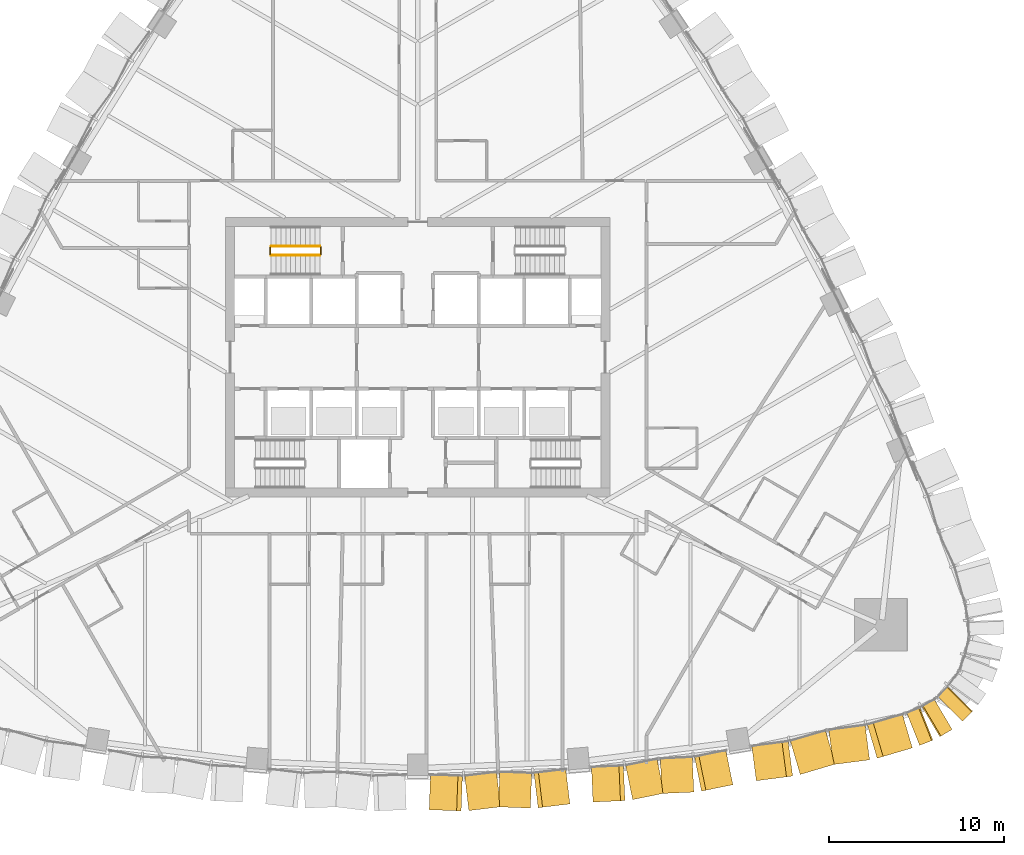
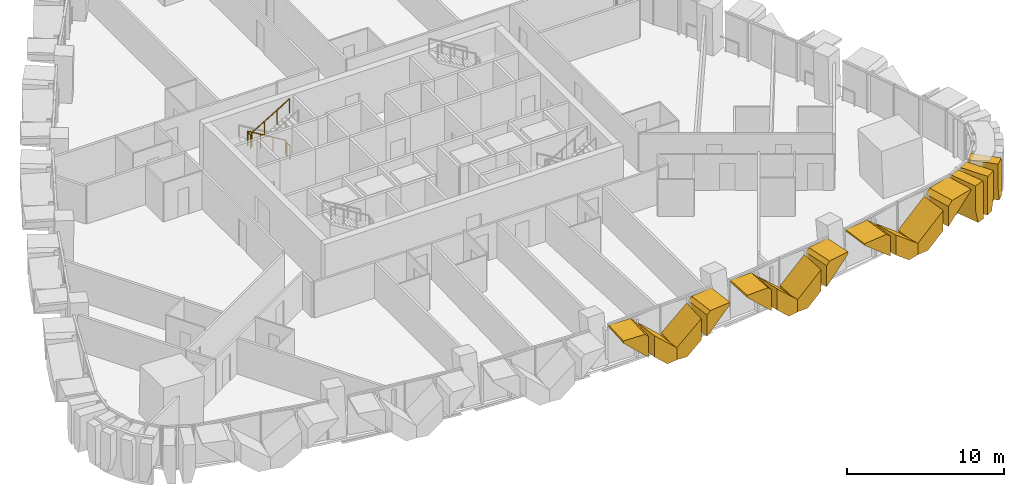
# One storey, part 19 of 23: 15 coverings, 4 railings.
"""IFC4 building model written with IfcOpenShell, lengths in metres."""

from ifc_helpers import new_model, si_unit, direction, frame, origin, origin_2d, place, context, subcontext, project, spatial, polyline, circle, outline, extrude, material, layer, layer_set, type_object, element, save


model = new_model("IFC4")

# Units and contexts
model_context = context("Model", 3, precision=1e-05, world=origin(), true_north=direction((0.0, 1.0)))
body_context = subcontext(model_context, "Body", "Model", "MODEL_VIEW")
ifc_project = project(units=[si_unit("LENGTHUNIT", "METRE"), si_unit("AREAUNIT", "SQUARE_METRE"), si_unit("VOLUMEUNIT", "CUBIC_METRE"), si_unit("PLANEANGLEUNIT", "RADIAN"), si_unit("MASSUNIT", "GRAM", prefix="KILO")], contexts=[model_context])

# Site, building, storey
site_placement = place(None, origin())
site = spatial("IfcSite", under=ifc_project, at=site_placement, CompositionType="ELEMENT")
building_placement = place(site_placement, origin())
building = spatial("IfcBuilding", under=site, at=building_placement, Name="Sierra Prisma Convention Tower", CompositionType="ELEMENT")
storey_placement = place(building_placement, frame((0.0, 0.0, 70.199951171875)))
storey = spatial("IfcBuildingStorey", under=building, at=storey_placement, Name="L13", CompositionType="ELEMENT", Elevation=70.199951171875)

# Coverings
ifc_material_1 = material(Name="Aluminium 6063-T6 bronze anodised", Category="aluminium")
ifc_layer = layer(ifc_material_1, 2.0)
ifc_layer_set = layer_set([ifc_layer], Name="Bronze crystal chevron frame")
covering_type = type_object("IfcCoveringType", Name="Bronze crystal chevron frame", PredefinedType="CLADDING", material=ifc_layer_set)
covering_1_placement = place(storey_placement, frame((0.654296875, -25.91796875, 2.97998046875), z_axis=(-0.037447028896, -0.999298612789, -5.0056809e-05), x_axis=(1.874479e-06, 5.00217e-05, -0.999999998747)))
element("IfcCovering", 1, at=covering_1_placement, inside=storey, type_object=covering_type, Name="CW-2 chevron frame S4.1.1", PredefinedType="CLADDING", context=body_context, shape_type="SweptSolid", body=[
    extrude(outline(polyline([(0.0, 0.0), (0.16235351542159668, 3.437969420923521e-23), (1.894042966985744, 1.8323394092863832), (0.24291992217934028, 1.8323394092863832), (-4.543999387105241e-09, 1.5753270616058597), (0.0, 0.0)])), origin(), (0.0, 0.0, -1.0), 2.0),
])
covering_2_placement = place(storey_placement, frame((2.928466796875, -25.968505859375, 2.6142578125), z_axis=(0.119395805273, -0.992846736226, 6.964865e-06), x_axis=(8.31576e-07, -6.915044e-06, -0.999999999976)))
element("IfcCovering", 2, at=covering_2_placement, inside=storey, type_object=covering_type, Name="CW-2 chevron frame S4.1.2", PredefinedType="CLADDING", context=body_context, shape_type="SweptSolid", body=[
    extrude(outline(polyline([(0.0, 0.0), (1.6513671874599467, 0.0), (2.614257812606209, 1.018513255023292), (2.6142578124833014, 1.832197185870817), (1.731933593754702, 1.832197185870817), (0.0, 0.0)])), origin(), (0.0, 0.0, -1.0), 2.0),
])
covering_3_placement = place(storey_placement, frame((5.436279296875, -25.785400390625, 0.0), z_axis=(-0.037564450564, -0.999294206808, -1.7136686e-05), x_axis=(0.726249653871, -0.027312216985, 0.686888260968)))
element("IfcCovering", 3, at=covering_3_placement, inside=storey, type_object=covering_type, Name="CW-2 chevron frame S4.2.1", PredefinedType="CLADDING", context=body_context, shape_type="SweptSolid", body=[
    extrude(outline(polyline([(0.0, 0.0), (1.4018155214761796, 1.1102230246251565e-16), (2.5361202571168895, 1.200152637731505), (0.014792187651770927, 1.200066033766845), (-0.5912659605749478, 0.5588254020752929), (0.0, 0.0)])), origin(), (0.0, 0.0, -1.0), 2.0),
])
covering_4_placement = place(storey_placement, frame((8.71630859375, -25.5869140625, 2.97998046875), z_axis=(0.119269075759, -0.992861966051, -6.2737553e-05), x_axis=(-0.992861968005, -0.119269075994, 4.531e-09)))
element("IfcCovering", 4, at=covering_4_placement, inside=storey, type_object=covering_type, Name="CW-2 chevron frame S4.2.2", PredefinedType="CLADDING", context=body_context, shape_type="SweptSolid", body=[
    extrude(outline(polyline([(0.0, 0.0), (1.5752224012592562, 1.6940658945086007e-21), (1.8321680522739572, 0.24291993065521567), (1.8321680447921818, 1.8940429742808051), (-7.356765640278175e-10, 0.16235351530548825), (0.0, 0.0)])), origin(), (0.0, 0.0, -1.0), 2.0),
])
covering_5_placement = place(storey_placement, frame((10.038818359375, -25.477294921875, 2.97998046875), z_axis=(0.044616682002, -0.999004180009, 3.344774e-06), x_axis=(1.49233e-07, -3.341443e-06, -0.999999999994)))
element("IfcCovering", 5, at=covering_5_placement, inside=storey, type_object=covering_type, Name="CW-2 chevron frame S5.1.1", PredefinedType="CLADDING", context=body_context, shape_type="SweptSolid", body=[
    extrude(outline(polyline([(0.0, 0.0), (0.1621093749990932, 0.0), (1.8940429687421256, 1.833124253604009), (0.24316406250136022, 1.833124253604009), (-2.0282831900266976e-11, 1.5757882219610095), (0.0, 0.0)])), origin(), (0.0, 0.0, -1.0), 2.0),
])
covering_6_placement = place(storey_placement, frame((12.310302734375, -25.3408203125, 2.614013671875), z_axis=(0.200333247522, -0.979727813561, 3.5674824e-05), x_axis=(7.146853e-06, -3.4951617e-05, -0.999999999364)))
element("IfcCovering", 6, at=covering_6_placement, inside=storey, type_object=covering_type, Name="CW-2 chevron frame S5.1.2", PredefinedType="CLADDING", context=body_context, shape_type="SweptSolid", body=[
    extrude(outline(polyline([(0.0, 0.0), (1.650878905199469, 4.19504647656268e-21), (2.6140136746610354, 1.0194201862457657), (2.6140136714373563, 1.8330515150400453), (1.731933593873665, 1.8330515150400453), (0.0, 0.0)])), origin(), (0.0, 0.0, -1.0), 2.0),
])
covering_7_placement = place(storey_placement, frame((13.98291015625, -24.98876953125, 0.0), z_axis=(0.044623259293, -0.999003885939, -2.4686801e-05), x_axis=(0.999003886243, 0.044623259307, -1.897e-09)))
element("IfcCovering", 7, at=covering_7_placement, inside=storey, type_object=covering_type, Name="CW-2 chevron frame S5.2.1", PredefinedType="CLADDING", context=body_context, shape_type="SweptSolid", body=[
    extrude(outline(polyline([(0.0, 0.0), (0.8138017106509453, 2.117582368135751e-22), (1.8333681491651403, 0.9631347693961597), (1.833368146033626, 2.614013675143106), (-1.67319746244595e-09, 0.8820800778562136), (0.0, 0.0)])), origin(), (0.0, 0.0, -1.0), 2.0),
])
covering_8_placement = place(storey_placement, frame((18.050537109375, -24.485107421875, 2.97998046875), z_axis=(0.200406083936, -0.979712914587, 8.0699737e-05), x_axis=(-0.979712917778, -0.200406084588, 7.492e-09)))
element("IfcCovering", 8, at=covering_8_placement, inside=storey, type_object=covering_type, Name="CW-2 chevron frame S5.2.2", PredefinedType="CLADDING", context=body_context, shape_type="SweptSolid", body=[
    extrude(outline(polyline([(0.0, 0.0), (1.5758861228997094, 6.776263578034403e-21), (1.833339620588796, 0.24316407702770332), (1.8333396082199374, 1.894042977902072), (-1.2145699675172432e-09, 0.16210937447213558), (0.0, 0.0)])), origin(), (0.0, 0.0, -1.0), 2.0),
])
covering_9_placement = place(storey_placement, frame((19.39306640625, -24.2587890625, 2.97998046875), z_axis=(0.12874603876, -0.991677594228, -8.1297801e-05), x_axis=(-1.046677e-05, 8.0621208e-05, -0.999999996695)))
element("IfcCovering", 9, at=covering_9_placement, inside=storey, type_object=covering_type, Name="CW-2 chevron frame S6.1.1", PredefinedType="CLADDING", context=body_context, shape_type="SweptSolid", body=[
    extrude(outline(polyline([(0.0, 0.0), (0.11035156213532493, 0.0), (1.856201167693339, 2.0990149076438556), (0.295410157226232, 2.0990149076438556), (-1.1045136782956408e-08, 1.7437426838725816), (0.0, 0.0)])), origin(), (0.0, 0.0, -1.0), 2.0),
])
covering_10_placement = place(storey_placement, frame((21.908447265625, -23.897216796875, 2.576416015625), z_axis=(0.282397402615, -0.959297506984, 9.47832e-06), x_axis=(2.676653e-06, -9.092529e-06, -0.999999999955)))
element("IfcCovering", 10, at=covering_10_placement, inside=storey, type_object=covering_type, Name="CW-2 chevron frame S6.1.2", PredefinedType="CLADDING", context=body_context, shape_type="SweptSolid", body=[
    extrude(outline(polyline([(0.0, 0.0), (1.5607910155548903, 0.0), (2.5764160158153255, 1.220824041435818), (2.576416015600511, 2.0991080887555347), (1.746093750012809, 2.0991080887555347), (0.0, 0.0)])), origin(), (0.0, 0.0, -1.0), 2.0),
])
covering_11_placement = place(storey_placement, frame((23.80078125, -23.330078125, 0.0), z_axis=(0.128751913171, -0.991676834823, 1.1404917e-05), x_axis=(0.991676834888, 0.128751913179, -3.54e-10)))
element("IfcCovering", 11, at=covering_11_placement, inside=storey, type_object=covering_type, Name="CW-2 chevron frame S6.2.1", PredefinedType="CLADDING", context=body_context, shape_type="SweptSolid", body=[
    extrude(outline(polyline([(0.0, 0.0), (0.8781551283803838, -2.117582368135751e-22), (2.099014907389583, 1.0156250008094627), (2.099014906836796, 2.576416016332955), (-2.9407618296045426e-10, 0.8303222655709991), (0.0, 0.0)])), origin(), (0.0, 0.0, -1.0), 2.0),
])
covering_12_placement = place(storey_placement, frame((28.329833984375, -22.375732421875, 2.97998046875), z_axis=(0.282392123243, -0.959299061132, 6.518942e-06), x_axis=(-0.959299061152, -0.282392123249, 4.1e-11)))
element("IfcCovering", 12, at=covering_12_placement, inside=storey, type_object=covering_type, Name="CW-2 chevron frame S6.2.2", PredefinedType="CLADDING", context=body_context, shape_type="SweptSolid", body=[
    extrude(outline(polyline([(0.0, 0.0), (1.7438237499038256, 8.470329472543003e-22), (2.099108088764694, 0.29541015634176393), (2.09910808870113, 1.8562011719335998), (-4.494109394799073e-12, 0.11035156249765521), (0.0, 0.0)])), origin(), (0.0, 0.0, -1.0), 2.0),
])
covering_13_placement = place(storey_placement, frame((28.74755859375, -22.231689453125, 2.97998046875), z_axis=(0.368708132148, -0.929545218451, -1.1982466e-05), x_axis=(-4.418033e-06, 1.1138244e-05, -0.999999999928)))
element("IfcCovering", 13, at=covering_13_placement, inside=storey, type_object=covering_type, Name="CW-2 chevron frame SE1.1.1", PredefinedType="CLADDING", context=body_context, shape_type="SweptSolid", body=[
    extrude(outline(polyline([(0.0, 0.0), (1.947021484235224, 1.649191346277599e-21), (2.979980468397437, 0.26290329399636303), (2.9799804685588875, 0.817090090310225), (0.29321289062676986, 0.817090090310225), (-9.294008299772934e-10, 0.7424673215127068), (0.0, 0.0)])), origin(), (0.0, 0.0, -1.0), 2.0),
])
covering_14_placement = place(storey_placement, frame((29.905029296875, -21.73486328125, 0.0), z_axis=(0.509675841051, -0.860366511363, -5.6335618e-05), x_axis=(0.860366512728, 0.50967584186, -1.17e-09)))
element("IfcCovering", 14, at=covering_14_placement, inside=storey, type_object=covering_type, Name="CW-2 chevron frame SE1.1.2", PredefinedType="CLADDING", context=body_context, shape_type="SweptSolid", body=[
    extrude(outline(polyline([(0.0, 0.0), (0.5541969600562598, -3.3881317890172014e-21), (0.8172271821096938, 1.032958984808017), (0.8172271798320639, 2.979980466093384), (0.07474035658446629, 2.979980480580389), (-3.142986309182511e-09, 2.6867675738615007), (0.0, 0.0)])), origin(), (0.0, 0.0, -1.0), 2.0),
])
covering_15_placement = place(storey_placement, frame((31.209228515625, -20.850341796875, 2.97998046875), z_axis=(0.709210939818, -0.704996342014, 2.4273691e-05), x_axis=(1.7215167e-05, -1.7112864e-05, -0.999999999705)))
element("IfcCovering", 15, at=covering_15_placement, inside=storey, type_object=covering_type, Name="CW-2 chevron frame SE2.1.1", PredefinedType="CLADDING", context=body_context, shape_type="SweptSolid", body=[
    extrude(outline(polyline([(0.0, 0.0), (1.9470214838013957, -3.298382692555198e-21), (2.979980470142458, 0.263094330632115), (2.979980468325446, 0.8172505222820755), (0.2932128909919836, 0.8172505222820755), (-7.636183014005907e-10, 0.742500037930085), (0.0, 0.0)])), origin(), (0.0, 0.0, -1.0), 2.0),
])

# Railings
ifc_material_2 = material(Name="Stainless steel", Category="steel")
railing_type = type_object("IfcRailingType", Name="Stair guard 1100", PredefinedType="GUARDRAIL", material=ifc_material_2)
railing_1_placement = place(storey_placement, frame((-5.60009765625, 6.35009765625, 0.168212890625)))
element("IfcRailing", 16, at=railing_1_placement, inside=storey, type_object=railing_type, Name="L13 S3 stair guard 1", PredefinedType="GUARDRAIL", context=body_context, shape_type="SweptSolid", body=[
    extrude(circle(Radius=0.02392578125, at=origin_2d()), frame((0.0, 0.0, 1.076171875), z_axis=(-0.857222391501, 0.0, 0.514946377315), x_axis=(0.0, -1.0, 0.0)), (0.0, 0.0, 1.0), 3.26611328125),
    extrude(circle(Radius=0.02099609375, at=origin_2d()), origin(), (0.0, 0.0, 1.0), 1.052001953125),
    extrude(circle(Radius=0.02099609375, at=origin_2d()), frame((-0.933349609375, 0.0, 0.560546875)), (0.0, 0.0, 1.0), 1.052001953125),
    extrude(circle(Radius=0.02099609375, at=origin_2d()), frame((-1.866455078125, 0.0, 1.121337890625)), (0.0, 0.0, 1.0), 1.052001953125),
    extrude(circle(Radius=0.02099609375, at=origin_2d()), frame((-2.7998046875, 0.0, 1.681884765625)), (0.0, 0.0, 1.0), 1.052001953125),
])
railing_2_placement = place(storey_placement, frame((-8.449951171875, 6.300048828125, 1.85009765625)))
element("IfcRailing", 17, at=railing_2_placement, inside=storey, type_object=railing_type, Name="L13 S3 stair guard 2", PredefinedType="GUARDRAIL", context=body_context, shape_type="SweptSolid", body=[
    extrude(circle(Radius=0.02392578125, at=origin_2d()), frame((0.0, 0.0, 1.076171875), z_axis=(0.0, -1.0, 0.0), x_axis=(1.0, 0.0, 0.0)), (0.0, 0.0, 1.0), 0.400146484375),
    extrude(circle(Radius=0.02099609375, at=origin_2d()), origin(), (0.0, 0.0, 1.0), 1.052001953125),
    extrude(circle(Radius=0.02099609375, at=origin_2d()), frame((0.0, -0.400146484375, 0.0)), (0.0, 0.0, 1.0), 1.052001953125),
])
railing_3_placement = place(storey_placement, frame((-8.39990234375, 5.85009765625, 2.018310546875)))
element("IfcRailing", 18, at=railing_3_placement, inside=storey, type_object=railing_type, Name="L13 S3 stair guard 3", PredefinedType="GUARDRAIL", context=body_context, shape_type="SweptSolid", body=[
    extrude(circle(Radius=0.02392578125, at=origin_2d()), frame((0.0, 0.0, 1.076171875), z_axis=(0.857255387014, 0.0, 0.514891446264), x_axis=(0.0, 1.0, 0.0)), (0.0, 0.0, 1.0), 3.26611328125),
    extrude(circle(Radius=0.02099609375, at=origin_2d()), origin(), (0.0, 0.0, 1.0), 1.052001953125),
    extrude(circle(Radius=0.02099609375, at=origin_2d()), frame((0.933349609375, 0.0, 0.560546875)), (0.0, 0.0, 1.0), 1.052001953125),
    extrude(circle(Radius=0.02099609375, at=origin_2d()), frame((1.866455078125, 0.0, 1.12109375)), (0.0, 0.0, 1.0), 1.052001953125),
    extrude(circle(Radius=0.02099609375, at=origin_2d()), frame((2.7998046875, 0.0, 1.681640625)), (0.0, 0.0, 1.0), 1.052001953125),
])
railing_4_placement = place(storey_placement, frame((-5.550048828125, 6.300048828125, 0.0)))
element("IfcRailing", 19, at=railing_4_placement, inside=storey, type_object=railing_type, Name="L13 S3 stair guard 4", PredefinedType="GUARDRAIL", context=body_context, shape_type="SweptSolid", body=[
    extrude(circle(Radius=0.02392578125, at=origin_2d()), frame((0.0, 0.0, 1.076171875), z_axis=(0.0, -1.0, 0.0), x_axis=(1.0, 0.0, 0.0)), (0.0, 0.0, 1.0), 0.400146484375),
    extrude(circle(Radius=0.02099609375, at=origin_2d()), origin(), (0.0, 0.0, 1.0), 1.052001953125),
    extrude(circle(Radius=0.02099609375, at=origin_2d()), frame((0.0, -0.400146484375, 0.0)), (0.0, 0.0, 1.0), 1.052001953125),
])

save(model, "model.ifc")
